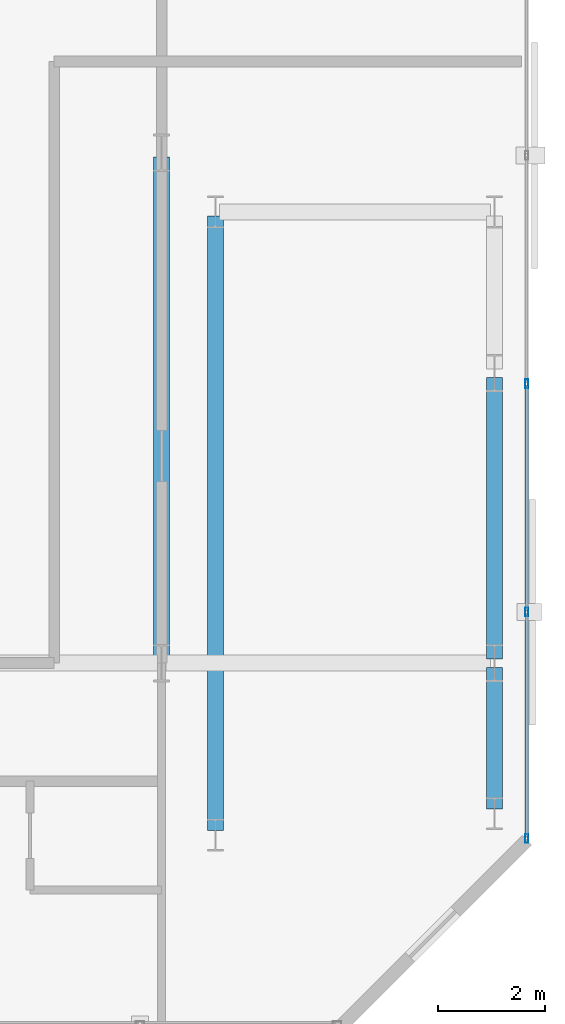
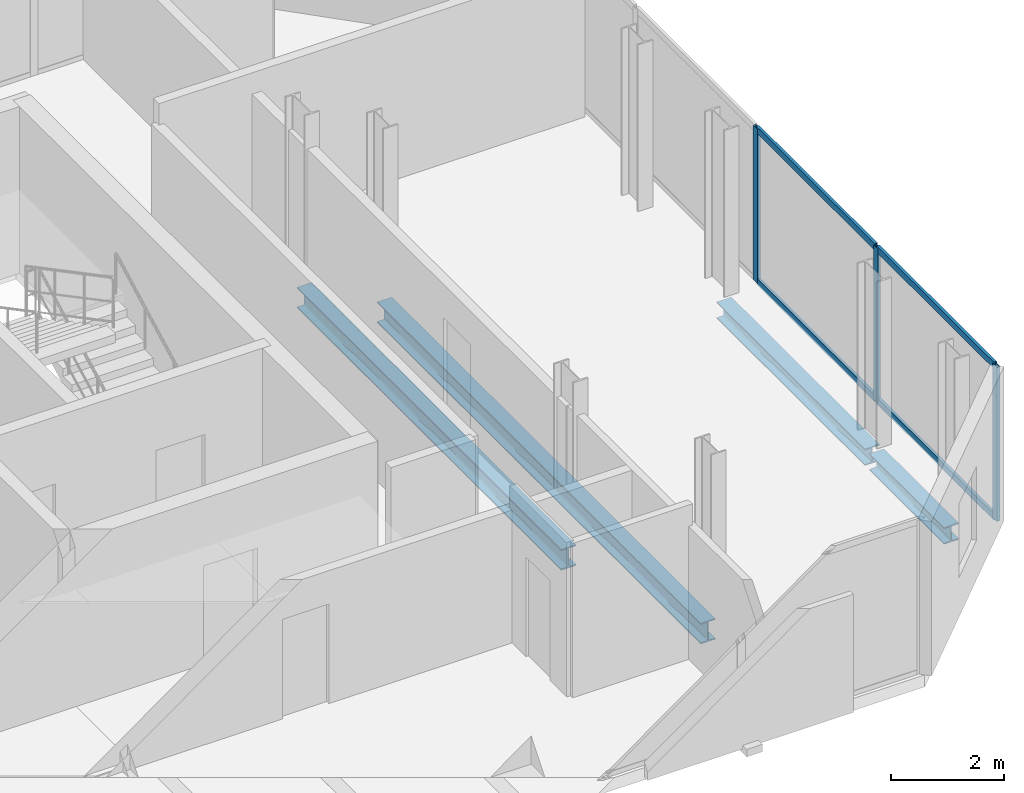
# One storey, part 16 of 32: 7 members, 4 beams, 1 element without a shape of its own.
"""IFC4 building model written with IfcOpenShell, lengths in metres."""

from ifc_helpers import new_model, si_unit, direction, frame, origin, origin_2d, place, context, subcontext, project, spatial, hollow_rectangle, i_section, extrude, material, layer, layer_set, material_profile, profile_set, type_object, element, aggregate, save


model = new_model("IFC4")

# Units and contexts
model_context = context("Model", 3, precision=1e-05, world=origin(), true_north=direction((0.0, 1.0)))
body_context = subcontext(model_context, "Body", "Model", "MODEL_VIEW")
ifc_project = project(units=[si_unit("LENGTHUNIT", "METRE"), si_unit("AREAUNIT", "SQUARE_METRE"), si_unit("VOLUMEUNIT", "CUBIC_METRE"), si_unit("PLANEANGLEUNIT", "RADIAN"), si_unit("MASSUNIT", "GRAM", prefix="KILO")], contexts=[model_context])

# Site, building, storey
site_placement = place(None, origin())
site = spatial("IfcSite", under=ifc_project, at=site_placement, CompositionType="ELEMENT")
building_placement = place(site_placement, origin())
building = spatial("IfcBuilding", under=site, at=building_placement, Name="Catumbela Crestline Tower", CompositionType="ELEMENT")
storey_placement = place(building_placement, frame((0.0, 0.0, 129.6)))
storey = spatial("IfcBuildingStorey", under=building, at=storey_placement, Name="L33", CompositionType="ELEMENT", Elevation=129.6)

# Beams
ifc_material_1 = material(Name="Structural steel S355J2", Category="steel")
ifc_material_profile_1 = material_profile(ifc_material_1, i_section(OverallWidth=0.3, OverallDepth=0.45, WebThickness=0.014, FlangeThickness=0.026, FilletRadius=0.027, at=origin_2d()), Name="HEB 450")
ifc_profile_set_1 = profile_set([ifc_material_profile_1], Name="Structural steel S355J2")
beam_type_1 = type_object("IfcBeamType", Name="BG-HEB450", PredefinedType="BEAM", material=ifc_profile_set_1)
beam_1_placement = place(storey_placement, frame((44.2, 30.88, -0.485), z_axis=(0.0, 1.0, 0.0), x_axis=(-1.0, 0.0, 0.0)))
element("IfcBeam", 1, at=beam_1_placement, inside=storey, type_object=beam_type_1, Name="L33 Beam BM-L33-SN32", PredefinedType="BEAM", context=body_context, shape_type="SweptSolid", body=[
    extrude(i_section(OverallWidth=0.3, OverallDepth=0.45, WebThickness=0.014, FlangeThickness=0.026, FilletRadius=0.027, at=origin_2d()), origin(), (0.0, 0.0, 1.0), 9.34),
])
beam_2_placement = place(storey_placement, frame((45.2, 27.68, -0.485), z_axis=(0.0, 1.0, 0.0), x_axis=(-1.0, 0.0, 0.0)))
element("IfcBeam", 2, at=beam_2_placement, inside=storey, type_object=beam_type_1, Name="L33 Beam BM-L33-SN33", PredefinedType="BEAM", context=body_context, shape_type="SweptSolid", body=[
    extrude(i_section(OverallWidth=0.3, OverallDepth=0.45, WebThickness=0.014, FlangeThickness=0.026, FilletRadius=0.027, at=origin_2d()), origin(), (0.0, 0.0, 1.0), 11.44),
])

# Curtain wall, members
ifc_material_2 = material(Name="Aluminium alloy AW-6060-T66", Category="aluminium")
ifc_layer = layer(ifc_material_2, 0.18, Name="Aluminium alloy AW-6060-T66")
ifc_layer_set = layer_set([ifc_layer], Name="Aluminium alloy AW-6060-T66")
curtain_wall_type = type_object("IfcCurtainWallType", Name="CWU-Z2", PredefinedType="USERDEFINED", material=ifc_layer_set)
curtain_wall_placement = place(storey_placement, origin())
curtain_wall = element("IfcCurtainWall", 3, at=curtain_wall_placement, inside=storey, type_object=curtain_wall_type, Name="L33 Unitised Curtain Wall CW-L33-E5S1", ObjectType="UNITISED", PredefinedType="USERDEFINED")
ifc_material_profile_2 = material_profile(ifc_material_2, hollow_rectangle(XDim=0.06, YDim=0.16, WallThickness=0.004, at=origin_2d()), Name="ALU 160x60x4")
ifc_profile_set_2 = profile_set([ifc_material_profile_2], Name="Aluminium alloy AW-6060-T66")
member_type_1 = type_object("IfcMemberType", Name="MUL-160X60", PredefinedType="MULLION", material=ifc_profile_set_2)
member_1_placement = place(storey_placement, frame((51.0, 27.5325, 0.0), z_axis=(0.0, 0.0, 1.0), x_axis=(-1.0, 0.0, 0.0)))
member_1 = element("IfcMember", 4, at=member_1_placement, type_object=member_type_1, Name="CWU-Z2 mullion 1", PredefinedType="MULLION", context=body_context, shape_type="SweptSolid", body=[
    extrude(hollow_rectangle(XDim=0.06, YDim=0.16, WallThickness=0.004, at=origin_2d()), origin(), (0.0, 0.0, 1.0), 3.33),
])
member_2_placement = place(storey_placement, frame((51.0, 31.75, 0.0), z_axis=(0.0, 0.0, 1.0), x_axis=(-1.0, 0.0, 0.0)))
member_2 = element("IfcMember", 5, at=member_2_placement, type_object=member_type_1, Name="CWU-Z2 mullion 2", PredefinedType="MULLION", context=body_context, shape_type="SweptSolid", body=[
    extrude(hollow_rectangle(XDim=0.06, YDim=0.16, WallThickness=0.004, at=origin_2d()), origin(), (0.0, 0.0, 1.0), 3.33),
])
member_3_placement = place(storey_placement, frame((51.0, 36.0, 0.0), z_axis=(0.0, 0.0, 1.0), x_axis=(-1.0, 0.0, 0.0)))
member_3 = element("IfcMember", 6, at=member_3_placement, type_object=member_type_1, Name="CWU-Z2 mullion 3", PredefinedType="MULLION", context=body_context, shape_type="SweptSolid", body=[
    extrude(hollow_rectangle(XDim=0.06, YDim=0.16, WallThickness=0.004, at=origin_2d()), origin(), (0.0, 0.0, 1.0), 3.33),
])

# Beams
ifc_material_profile_3 = material_profile(ifc_material_1, i_section(OverallWidth=0.3, OverallDepth=0.36, WebThickness=0.0125, FlangeThickness=0.0225, FilletRadius=0.027, at=origin_2d()), Name="HEB 360")
ifc_profile_set_3 = profile_set([ifc_material_profile_3], Name="Structural steel S355J2")
beam_type_2 = type_object("IfcBeamType", Name="BS-HEB360", PredefinedType="SPANDREL", material=ifc_profile_set_3)
beam_3_placement = place(storey_placement, frame((50.4, 28.08, -0.44), z_axis=(0.0, 1.0, 0.0), x_axis=(-1.0, 0.0, 0.0)))
element("IfcBeam", 7, at=beam_3_placement, inside=storey, type_object=beam_type_2, Name="L33 Spandrel SP-L33-SN34", PredefinedType="SPANDREL", context=body_context, shape_type="SweptSolid", body=[
    extrude(i_section(OverallWidth=0.3, OverallDepth=0.36, WebThickness=0.0125, FlangeThickness=0.0225, FilletRadius=0.027, at=origin_2d()), origin(), (0.0, 0.0, 1.0), 2.64),
])
beam_4_placement = place(storey_placement, frame((50.4, 30.88, -0.44), z_axis=(0.0, 1.0, 0.0), x_axis=(-1.0, 0.0, 0.0)))
element("IfcBeam", 8, at=beam_4_placement, inside=storey, type_object=beam_type_2, Name="L33 Spandrel SP-L33-SN35", PredefinedType="SPANDREL", context=body_context, shape_type="SweptSolid", body=[
    extrude(i_section(OverallWidth=0.3, OverallDepth=0.36, WebThickness=0.0125, FlangeThickness=0.0225, FilletRadius=0.027, at=origin_2d()), origin(), (0.0, 0.0, 1.0), 5.24),
])

# Member
ifc_material_profile_4 = material_profile(ifc_material_2, hollow_rectangle(XDim=0.06, YDim=0.14, WallThickness=0.004, at=origin_2d()), Name="ALU 140x60x4")
ifc_profile_set_4 = profile_set([ifc_material_profile_4], Name="Aluminium alloy AW-6060-T66")
member_type_2 = type_object("IfcMemberType", Name="TRN-140X60", PredefinedType="USERDEFINED", material=ifc_profile_set_4)
member_4_placement = place(storey_placement, frame((51.0, 27.565, 0.03), z_axis=(0.0, 1.0, 0.0), x_axis=(-1.0, 0.0, 0.0)))
member_4 = element("IfcMember", 9, at=member_4_placement, type_object=member_type_2, Name="CWU-Z2 transom 1.1", ObjectType="TRANSOM", PredefinedType="USERDEFINED", context=body_context, shape_type="SweptSolid", body=[
    extrude(hollow_rectangle(XDim=0.06, YDim=0.14, WallThickness=0.004, at=origin_2d()), origin(), (0.0, 0.0, 1.0), 4.1525),
])

member_5_placement = place(storey_placement, frame((51.0, 27.565, 3.3), z_axis=(0.0, 1.0, 0.0), x_axis=(-1.0, 0.0, 0.0)))
member_5 = element("IfcMember", 10, at=member_5_placement, type_object=member_type_2, Name="CWU-Z2 transom 1.2", ObjectType="TRANSOM", PredefinedType="USERDEFINED", context=body_context, shape_type="SweptSolid", body=[
    extrude(hollow_rectangle(XDim=0.06, YDim=0.14, WallThickness=0.004, at=origin_2d()), origin(), (0.0, 0.0, 1.0), 4.1525),
])

member_6_placement = place(storey_placement, frame((51.0, 31.7825, 0.03), z_axis=(0.0, 1.0, 0.0), x_axis=(-1.0, 0.0, 0.0)))
member_6 = element("IfcMember", 11, at=member_6_placement, type_object=member_type_2, Name="CWU-Z2 transom 2.1", ObjectType="TRANSOM", PredefinedType="USERDEFINED", context=body_context, shape_type="SweptSolid", body=[
    extrude(hollow_rectangle(XDim=0.06, YDim=0.14, WallThickness=0.004, at=origin_2d()), origin(), (0.0, 0.0, 1.0), 4.185),
])

member_7_placement = place(storey_placement, frame((51.0, 31.7825, 3.3), z_axis=(0.0, 1.0, 0.0), x_axis=(-1.0, 0.0, 0.0)))
member_7 = element("IfcMember", 12, at=member_7_placement, type_object=member_type_2, Name="CWU-Z2 transom 2.2", ObjectType="TRANSOM", PredefinedType="USERDEFINED", context=body_context, shape_type="SweptSolid", body=[
    extrude(hollow_rectangle(XDim=0.06, YDim=0.14, WallThickness=0.004, at=origin_2d()), origin(), (0.0, 0.0, 1.0), 4.185),
])

aggregate(curtain_wall, [member_1, member_2, member_3, member_4, member_5, member_6, member_7])

save(model, "model.ifc")
